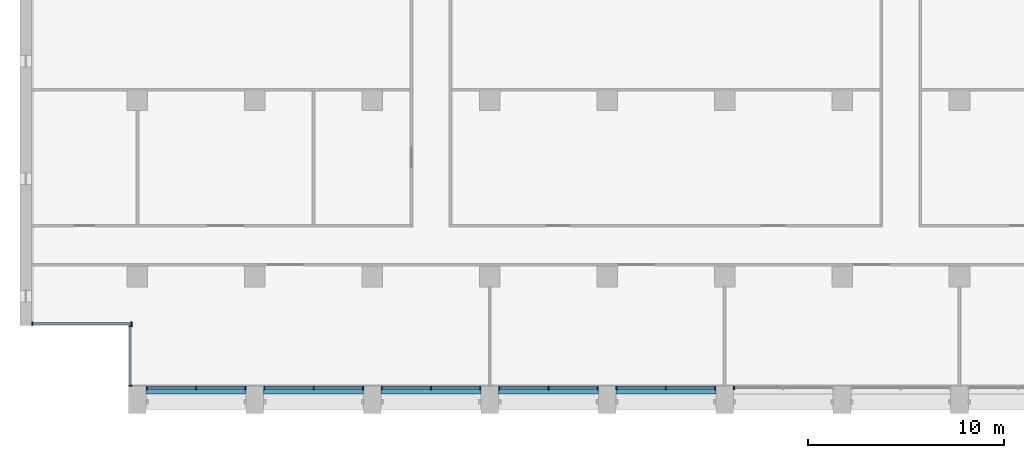
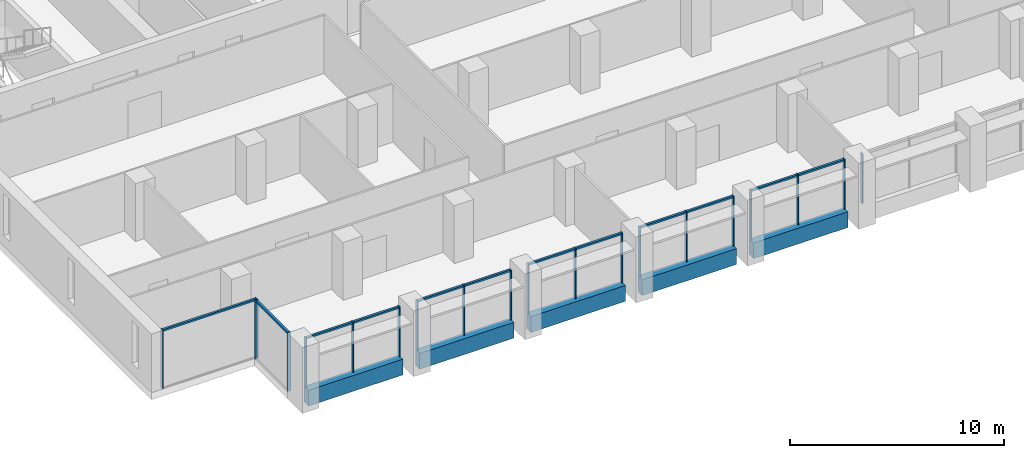
# One storey, part 2 of 17: 32 members, 5 beams, 8 elements without a shape of their own.
"""IFC4 building model written with IfcOpenShell, lengths in metres."""

from ifc_helpers import new_model, si_unit, direction, frame, origin, origin_2d, place, context, subcontext, project, spatial, rectangle, extrude, material, material_profile, profile_set, type_object, element, aggregate, save


model = new_model("IFC4")

# Units and contexts
model_context = context("Model", 3, precision=1e-05, world=origin(), true_north=direction((0.0, 1.0)))
body_context = subcontext(model_context, "Body", "Model", "MODEL_VIEW")
ifc_project = project(units=[si_unit("LENGTHUNIT", "METRE"), si_unit("AREAUNIT", "SQUARE_METRE"), si_unit("VOLUMEUNIT", "CUBIC_METRE"), si_unit("PLANEANGLEUNIT", "RADIAN"), si_unit("MASSUNIT", "GRAM", prefix="KILO")], contexts=[model_context])

# Site, building, storey
site_placement = place(None, origin())
site = spatial("IfcSite", under=ifc_project, at=site_placement, CompositionType="ELEMENT")
building_placement = place(site_placement, origin())
building = spatial("IfcBuilding", under=site, at=building_placement, Name="Calvaro Tower", CompositionType="ELEMENT")
storey_placement = place(building_placement, frame((0.0, 0.0, 208.0)))
storey = spatial("IfcBuildingStorey", under=building, at=storey_placement, Name="L52", CompositionType="ELEMENT", Elevation=208.0)

# Curtain wall, members
ifc_material_1 = material(Name="Anodised aluminium", Category="aluminium")
curtain_wall_type = type_object("IfcCurtainWallType", Name="Office curtain wall, upper zone", PredefinedType="NOTDEFINED", material=ifc_material_1)
curtain_wall_1_placement = place(storey_placement, origin())
curtain_wall_1 = element("IfcCurtainWall", 1, at=curtain_wall_1_placement, inside=storey, type_object=curtain_wall_type, Name="CW3 south curtain wall", PredefinedType="NOTDEFINED")
ifc_material_2 = material(Name="Anodised aluminium", Category="aluminium")
ifc_material_profile_1 = material_profile(ifc_material_2, rectangle(XDim=0.179931640625, YDim=0.06005859375, at=origin_2d()), Name="Mullion S3 60 x 180")
ifc_profile_set_1 = profile_set([ifc_material_profile_1], Name="Anodised aluminium")
member_type_1 = type_object("IfcMemberType", Name="Mullion S3 60 x 180", PredefinedType="MULLION", material=ifc_profile_set_1)
member_1_placement = place(storey_placement, frame((12.47998046875, 4.31005859375, 0.0), z_axis=(0.0, 0.0, 1.0), x_axis=(0.0, 1.0, 0.0)))
member_1 = element("IfcMember", 2, at=member_1_placement, type_object=member_type_1, Name="CW3 mullion 1", PredefinedType="MULLION", context=body_context, shape_type="SweptSolid", body=[
    extrude(rectangle(XDim=0.179931640625, YDim=0.06005859375, at=origin_2d()), origin(), (0.0, 0.0, 1.0), 2.85009765625),
])
member_2_placement = place(storey_placement, frame((15.0, 4.31005859375, 0.0), z_axis=(0.0, 0.0, 1.0), x_axis=(0.0, 1.0, 0.0)))
member_2 = element("IfcMember", 3, at=member_2_placement, type_object=member_type_1, Name="CW3 mullion 2", PredefinedType="MULLION", context=body_context, shape_type="SweptSolid", body=[
    extrude(rectangle(XDim=0.179931640625, YDim=0.06005859375, at=origin_2d()), origin(), (0.0, 0.0, 1.0), 2.85009765625),
])
member_3_placement = place(storey_placement, frame((17.52001953125, 4.31005859375, 0.0), z_axis=(0.0, 0.0, 1.0), x_axis=(0.0, 1.0, 0.0)))
member_3 = element("IfcMember", 4, at=member_3_placement, type_object=member_type_1, Name="CW3 mullion 3", PredefinedType="MULLION", context=body_context, shape_type="SweptSolid", body=[
    extrude(rectangle(XDim=0.179931640625, YDim=0.06005859375, at=origin_2d()), origin(), (0.0, 0.0, 1.0), 2.85009765625),
])

curtain_wall_2_placement = place(storey_placement, origin())
curtain_wall_2 = element("IfcCurtainWall", 5, at=curtain_wall_2_placement, inside=storey, type_object=curtain_wall_type, Name="CW3 south curtain wall", PredefinedType="NOTDEFINED")
member_4_placement = place(storey_placement, frame((18.47998046875, 4.31005859375, 0.0), z_axis=(0.0, 0.0, 1.0), x_axis=(0.0, 1.0, 0.0)))
member_4 = element("IfcMember", 6, at=member_4_placement, type_object=member_type_1, Name="CW3 mullion 1", PredefinedType="MULLION", context=body_context, shape_type="SweptSolid", body=[
    extrude(rectangle(XDim=0.179931640625, YDim=0.06005859375, at=origin_2d()), origin(), (0.0, 0.0, 1.0), 2.85009765625),
])
member_5_placement = place(storey_placement, frame((21.0, 4.31005859375, 0.0), z_axis=(0.0, 0.0, 1.0), x_axis=(0.0, 1.0, 0.0)))
member_5 = element("IfcMember", 7, at=member_5_placement, type_object=member_type_1, Name="CW3 mullion 2", PredefinedType="MULLION", context=body_context, shape_type="SweptSolid", body=[
    extrude(rectangle(XDim=0.179931640625, YDim=0.06005859375, at=origin_2d()), origin(), (0.0, 0.0, 1.0), 2.85009765625),
])
member_6_placement = place(storey_placement, frame((23.52001953125, 4.31005859375, 0.0), z_axis=(0.0, 0.0, 1.0), x_axis=(0.0, 1.0, 0.0)))
member_6 = element("IfcMember", 8, at=member_6_placement, type_object=member_type_1, Name="CW3 mullion 3", PredefinedType="MULLION", context=body_context, shape_type="SweptSolid", body=[
    extrude(rectangle(XDim=0.179931640625, YDim=0.06005859375, at=origin_2d()), origin(), (0.0, 0.0, 1.0), 2.85009765625),
])

curtain_wall_3_placement = place(storey_placement, origin())
curtain_wall_3 = element("IfcCurtainWall", 9, at=curtain_wall_3_placement, inside=storey, type_object=curtain_wall_type, Name="CW3 south curtain wall", PredefinedType="NOTDEFINED")
member_7_placement = place(storey_placement, frame((24.47998046875, 4.31005859375, 0.0), z_axis=(0.0, 0.0, 1.0), x_axis=(0.0, 1.0, 0.0)))
member_7 = element("IfcMember", 10, at=member_7_placement, type_object=member_type_1, Name="CW3 mullion 1", PredefinedType="MULLION", context=body_context, shape_type="SweptSolid", body=[
    extrude(rectangle(XDim=0.179931640625, YDim=0.06005859375, at=origin_2d()), origin(), (0.0, 0.0, 1.0), 2.85009765625),
])
member_8_placement = place(storey_placement, frame((27.0, 4.31005859375, 0.0), z_axis=(0.0, 0.0, 1.0), x_axis=(0.0, 1.0, 0.0)))
member_8 = element("IfcMember", 11, at=member_8_placement, type_object=member_type_1, Name="CW3 mullion 2", PredefinedType="MULLION", context=body_context, shape_type="SweptSolid", body=[
    extrude(rectangle(XDim=0.179931640625, YDim=0.06005859375, at=origin_2d()), origin(), (0.0, 0.0, 1.0), 2.85009765625),
])
member_9_placement = place(storey_placement, frame((29.52001953125, 4.31005859375, 0.0), z_axis=(0.0, 0.0, 1.0), x_axis=(0.0, 1.0, 0.0)))
member_9 = element("IfcMember", 12, at=member_9_placement, type_object=member_type_1, Name="CW3 mullion 3", PredefinedType="MULLION", context=body_context, shape_type="SweptSolid", body=[
    extrude(rectangle(XDim=0.179931640625, YDim=0.06005859375, at=origin_2d()), origin(), (0.0, 0.0, 1.0), 2.85009765625),
])

curtain_wall_4_placement = place(storey_placement, origin())
curtain_wall_4 = element("IfcCurtainWall", 13, at=curtain_wall_4_placement, inside=storey, type_object=curtain_wall_type, Name="CW3 south curtain wall", PredefinedType="NOTDEFINED")
member_10_placement = place(storey_placement, frame((30.47998046875, 4.31005859375, 0.0), z_axis=(0.0, 0.0, 1.0), x_axis=(0.0, 1.0, 0.0)))
member_10 = element("IfcMember", 14, at=member_10_placement, type_object=member_type_1, Name="CW3 mullion 1", PredefinedType="MULLION", context=body_context, shape_type="SweptSolid", body=[
    extrude(rectangle(XDim=0.179931640625, YDim=0.06005859375, at=origin_2d()), origin(), (0.0, 0.0, 1.0), 2.85009765625),
])
member_11_placement = place(storey_placement, frame((33.0, 4.31005859375, 0.0), z_axis=(0.0, 0.0, 1.0), x_axis=(0.0, 1.0, 0.0)))
member_11 = element("IfcMember", 15, at=member_11_placement, type_object=member_type_1, Name="CW3 mullion 2", PredefinedType="MULLION", context=body_context, shape_type="SweptSolid", body=[
    extrude(rectangle(XDim=0.179931640625, YDim=0.06005859375, at=origin_2d()), origin(), (0.0, 0.0, 1.0), 2.85009765625),
])
member_12_placement = place(storey_placement, frame((35.52001953125, 4.31005859375, 0.0), z_axis=(0.0, 0.0, 1.0), x_axis=(0.0, 1.0, 0.0)))
member_12 = element("IfcMember", 16, at=member_12_placement, type_object=member_type_1, Name="CW3 mullion 3", PredefinedType="MULLION", context=body_context, shape_type="SweptSolid", body=[
    extrude(rectangle(XDim=0.179931640625, YDim=0.06005859375, at=origin_2d()), origin(), (0.0, 0.0, 1.0), 2.85009765625),
])

curtain_wall_5_placement = place(storey_placement, origin())
curtain_wall_5 = element("IfcCurtainWall", 17, at=curtain_wall_5_placement, inside=storey, type_object=curtain_wall_type, Name="CW3 south curtain wall", PredefinedType="NOTDEFINED")
member_13_placement = place(storey_placement, frame((36.47998046875, 4.31005859375, 0.0), z_axis=(0.0, 0.0, 1.0), x_axis=(0.0, 1.0, 0.0)))
member_13 = element("IfcMember", 18, at=member_13_placement, type_object=member_type_1, Name="CW3 mullion 1", PredefinedType="MULLION", context=body_context, shape_type="SweptSolid", body=[
    extrude(rectangle(XDim=0.179931640625, YDim=0.06005859375, at=origin_2d()), origin(), (0.0, 0.0, 1.0), 2.85009765625),
])
member_14_placement = place(storey_placement, frame((39.0, 4.31005859375, 0.0), z_axis=(0.0, 0.0, 1.0), x_axis=(0.0, 1.0, 0.0)))
member_14 = element("IfcMember", 19, at=member_14_placement, type_object=member_type_1, Name="CW3 mullion 2", PredefinedType="MULLION", context=body_context, shape_type="SweptSolid", body=[
    extrude(rectangle(XDim=0.179931640625, YDim=0.06005859375, at=origin_2d()), origin(), (0.0, 0.0, 1.0), 2.85009765625),
])
member_15_placement = place(storey_placement, frame((41.52001953125, 4.31005859375, 0.0), z_axis=(0.0, 0.0, 1.0), x_axis=(0.0, 1.0, 0.0)))
member_15 = element("IfcMember", 20, at=member_15_placement, type_object=member_type_1, Name="CW3 mullion 3", PredefinedType="MULLION", context=body_context, shape_type="SweptSolid", body=[
    extrude(rectangle(XDim=0.179931640625, YDim=0.06005859375, at=origin_2d()), origin(), (0.0, 0.0, 1.0), 2.85009765625),
])

# Curtain wall, member
curtain_wall_6_placement = place(storey_placement, origin())
curtain_wall_6 = element("IfcCurtainWall", 21, at=curtain_wall_6_placement, inside=storey, type_object=curtain_wall_type, Name="CW3 south curtain wall", PredefinedType="NOTDEFINED")
member_16_placement = place(storey_placement, frame((42.47998046875, 4.31005859375, 0.0), z_axis=(0.0, 0.0, 1.0), x_axis=(0.0, 1.0, 0.0)))
member_16 = element("IfcMember", 22, at=member_16_placement, type_object=member_type_1, Name="CW3 mullion 1", PredefinedType="MULLION", context=body_context, shape_type="SweptSolid", body=[
    extrude(rectangle(XDim=0.179931640625, YDim=0.06005859375, at=origin_2d()), origin(), (0.0, 0.0, 1.0), 2.85009765625),
])
aggregate(curtain_wall_6, [member_16])

# Curtain wall, members
curtain_wall_7_placement = place(storey_placement, origin())
curtain_wall_7 = element("IfcCurtainWall", 23, at=curtain_wall_7_placement, inside=storey, type_object=curtain_wall_type, Name="CW3 corner curtain wall", PredefinedType="NOTDEFINED")
member_17_placement = place(storey_placement, frame((11.639892578125, 4.429931640625, 0.0), z_axis=(0.0, 0.0, 1.0), x_axis=(-1.0, 0.0, 0.0)))
member_17 = element("IfcMember", 24, at=member_17_placement, type_object=member_type_1, Name="CW3 mullion 1", PredefinedType="MULLION", context=body_context, shape_type="SweptSolid", body=[
    extrude(rectangle(XDim=0.179931640625, YDim=0.06005859375, at=origin_2d()), origin(), (0.0, 0.0, 1.0), 3.35009765625),
])
member_18_placement = place(storey_placement, frame((11.639892578125, 7.469970703125, 0.0), z_axis=(0.0, 0.0, 1.0), x_axis=(-1.0, 0.0, 0.0)))
member_18 = element("IfcMember", 25, at=member_18_placement, type_object=member_type_1, Name="CW3 mullion 2", PredefinedType="MULLION", context=body_context, shape_type="SweptSolid", body=[
    extrude(rectangle(XDim=0.179931640625, YDim=0.06005859375, at=origin_2d()), origin(), (0.0, 0.0, 1.0), 3.35009765625),
])

curtain_wall_8_placement = place(storey_placement, origin())
curtain_wall_8 = element("IfcCurtainWall", 26, at=curtain_wall_8_placement, inside=storey, type_object=curtain_wall_type, Name="CW3 corner curtain wall", PredefinedType="NOTDEFINED")
member_19_placement = place(storey_placement, frame((6.6298828125, 7.590087890625, 0.0), z_axis=(0.0, 0.0, 1.0), x_axis=(0.0, 1.0, 0.0)))
member_19 = element("IfcMember", 27, at=member_19_placement, type_object=member_type_1, Name="CW3 mullion 1", PredefinedType="MULLION", context=body_context, shape_type="SweptSolid", body=[
    extrude(rectangle(XDim=0.179931640625, YDim=0.06005859375, at=origin_2d()), origin(), (0.0, 0.0, 1.0), 3.35009765625),
])
member_20_placement = place(storey_placement, frame((11.699951171875, 7.590087890625, 0.0), z_axis=(0.0, 0.0, 1.0), x_axis=(0.0, 1.0, 0.0)))
member_20 = element("IfcMember", 28, at=member_20_placement, type_object=member_type_1, Name="CW3 mullion 2", PredefinedType="MULLION", context=body_context, shape_type="SweptSolid", body=[
    extrude(rectangle(XDim=0.179931640625, YDim=0.06005859375, at=origin_2d()), origin(), (0.0, 0.0, 1.0), 3.35009765625),
])

# Beams
ifc_material_3 = material(Name="Concrete C50/60 precast", Category="concrete")
ifc_material_profile_2 = material_profile(ifc_material_3, rectangle(XDim=0.39990234375, YDim=0.89990234375, at=origin_2d()), Name="RC 400x900")
ifc_profile_set_2 = profile_set([ifc_material_profile_2], Name="Concrete C50/60 precast")
beam_type = type_object("IfcBeamType", Name="Spandrel beam 400x900 C50/60", PredefinedType="SPANDREL", material=ifc_profile_set_2)
for number, where, z_axis, x_axis, name in (
    (29, (12.449951171875, 4.199951171875, -0.449951171875), (1.0, 0.0, 0.0), (0.0, 1.0, 0.0), "Spandrel beam"),
    (30, (18.449951171875, 4.199951171875, -0.449951171875), (1.0, 0.0, 0.0), (0.0, 1.0, 0.0), "Spandrel beam"),
    (31, (24.449951171875, 4.199951171875, -0.449951171875), (1.0, 0.0, 0.0), (0.0, 1.0, 0.0), "Spandrel beam"),
    (32, (30.449951171875, 4.199951171875, -0.449951171875), (1.0, 0.0, 0.0), (0.0, 1.0, 0.0), "Spandrel beam"),
    (33, (36.449951171875, 4.199951171875, -0.449951171875), (1.0, 0.0, 0.0), (0.0, 1.0, 0.0), "Spandrel beam"),
):
    element("IfcBeam", number, at=place(storey_placement, frame(where, z_axis=z_axis, x_axis=x_axis)), inside=storey, type_object=beam_type, Name=name, PredefinedType="SPANDREL", context=body_context, shape_type="SweptSolid", body=[
        extrude(rectangle(XDim=0.39990234375, YDim=0.89990234375, at=origin_2d()), origin(), (0.0, 0.0, 1.0), 5.10009765625),
    ])

# Member
ifc_material_4 = material(Name="Anodised aluminium", Category="aluminium")
ifc_material_profile_3 = material_profile(ifc_material_4, rectangle(XDim=0.1201171875, YDim=0.10009765625, at=origin_2d()), Name="Transom S3 100 x 120")
ifc_profile_set_3 = profile_set([ifc_material_profile_3], Name="Anodised aluminium")
member_type_2 = type_object("IfcMemberType", Name="Transom S3 100 x 120", PredefinedType="USERDEFINED", material=ifc_profile_set_3)
member_21_placement = place(storey_placement, frame((12.510009765625, 4.31005859375, 2.800048828125), z_axis=(1.0, 0.0, 0.0), x_axis=(0.0, 1.0, 0.0)))
member_21 = element("IfcMember", 34, at=member_21_placement, type_object=member_type_2, Name="CW3 transom 1.1", ObjectType="TRANSOM", PredefinedType="USERDEFINED", context=body_context, shape_type="SweptSolid", body=[
    extrude(rectangle(XDim=0.1201171875, YDim=0.10009765625, at=origin_2d()), origin(), (0.0, 0.0, 1.0), 2.4599609375),
])

member_22_placement = place(storey_placement, frame((15.030029296875, 4.31005859375, 2.800048828125), z_axis=(1.0, 0.0, 0.0), x_axis=(0.0, 1.0, 0.0)))
member_22 = element("IfcMember", 35, at=member_22_placement, type_object=member_type_2, Name="CW3 transom 2.1", ObjectType="TRANSOM", PredefinedType="USERDEFINED", context=body_context, shape_type="SweptSolid", body=[
    extrude(rectangle(XDim=0.1201171875, YDim=0.10009765625, at=origin_2d()), origin(), (0.0, 0.0, 1.0), 2.4599609375),
])

aggregate(curtain_wall_1, [member_1, member_2, member_3, member_21, member_22])

member_23_placement = place(storey_placement, frame((18.510009765625, 4.31005859375, 2.800048828125), z_axis=(1.0, 0.0, 0.0), x_axis=(0.0, 1.0, 0.0)))
member_23 = element("IfcMember", 36, at=member_23_placement, type_object=member_type_2, Name="CW3 transom 1.1", ObjectType="TRANSOM", PredefinedType="USERDEFINED", context=body_context, shape_type="SweptSolid", body=[
    extrude(rectangle(XDim=0.1201171875, YDim=0.10009765625, at=origin_2d()), origin(), (0.0, 0.0, 1.0), 2.4599609375),
])

member_24_placement = place(storey_placement, frame((21.030029296875, 4.31005859375, 2.800048828125), z_axis=(1.0, 0.0, 0.0), x_axis=(0.0, 1.0, 0.0)))
member_24 = element("IfcMember", 37, at=member_24_placement, type_object=member_type_2, Name="CW3 transom 2.1", ObjectType="TRANSOM", PredefinedType="USERDEFINED", context=body_context, shape_type="SweptSolid", body=[
    extrude(rectangle(XDim=0.1201171875, YDim=0.10009765625, at=origin_2d()), origin(), (0.0, 0.0, 1.0), 2.4599609375),
])

aggregate(curtain_wall_2, [member_4, member_5, member_6, member_23, member_24])

member_25_placement = place(storey_placement, frame((24.510009765625, 4.31005859375, 2.800048828125), z_axis=(1.0, 0.0, 0.0), x_axis=(0.0, 1.0, 0.0)))
member_25 = element("IfcMember", 38, at=member_25_placement, type_object=member_type_2, Name="CW3 transom 1.1", ObjectType="TRANSOM", PredefinedType="USERDEFINED", context=body_context, shape_type="SweptSolid", body=[
    extrude(rectangle(XDim=0.1201171875, YDim=0.10009765625, at=origin_2d()), origin(), (0.0, 0.0, 1.0), 2.4599609375),
])

member_26_placement = place(storey_placement, frame((27.030029296875, 4.31005859375, 2.800048828125), z_axis=(1.0, 0.0, 0.0), x_axis=(0.0, 1.0, 0.0)))
member_26 = element("IfcMember", 39, at=member_26_placement, type_object=member_type_2, Name="CW3 transom 2.1", ObjectType="TRANSOM", PredefinedType="USERDEFINED", context=body_context, shape_type="SweptSolid", body=[
    extrude(rectangle(XDim=0.1201171875, YDim=0.10009765625, at=origin_2d()), origin(), (0.0, 0.0, 1.0), 2.4599609375),
])

aggregate(curtain_wall_3, [member_7, member_8, member_9, member_25, member_26])

member_27_placement = place(storey_placement, frame((30.510009765625, 4.31005859375, 2.800048828125), z_axis=(1.0, 0.0, 0.0), x_axis=(0.0, 1.0, 0.0)))
member_27 = element("IfcMember", 40, at=member_27_placement, type_object=member_type_2, Name="CW3 transom 1.1", ObjectType="TRANSOM", PredefinedType="USERDEFINED", context=body_context, shape_type="SweptSolid", body=[
    extrude(rectangle(XDim=0.1201171875, YDim=0.10009765625, at=origin_2d()), origin(), (0.0, 0.0, 1.0), 2.4599609375),
])

member_28_placement = place(storey_placement, frame((33.030029296875, 4.31005859375, 2.800048828125), z_axis=(1.0, 0.0, 0.0), x_axis=(0.0, 1.0, 0.0)))
member_28 = element("IfcMember", 41, at=member_28_placement, type_object=member_type_2, Name="CW3 transom 2.1", ObjectType="TRANSOM", PredefinedType="USERDEFINED", context=body_context, shape_type="SweptSolid", body=[
    extrude(rectangle(XDim=0.1201171875, YDim=0.10009765625, at=origin_2d()), origin(), (0.0, 0.0, 1.0), 2.4599609375),
])

aggregate(curtain_wall_4, [member_10, member_11, member_12, member_27, member_28])

member_29_placement = place(storey_placement, frame((36.510009765625, 4.31005859375, 2.800048828125), z_axis=(1.0, 0.0, 0.0), x_axis=(0.0, 1.0, 0.0)))
member_29 = element("IfcMember", 42, at=member_29_placement, type_object=member_type_2, Name="CW3 transom 1.1", ObjectType="TRANSOM", PredefinedType="USERDEFINED", context=body_context, shape_type="SweptSolid", body=[
    extrude(rectangle(XDim=0.1201171875, YDim=0.10009765625, at=origin_2d()), origin(), (0.0, 0.0, 1.0), 2.4599609375),
])

member_30_placement = place(storey_placement, frame((39.030029296875, 4.31005859375, 2.800048828125), z_axis=(1.0, 0.0, 0.0), x_axis=(0.0, 1.0, 0.0)))
member_30 = element("IfcMember", 43, at=member_30_placement, type_object=member_type_2, Name="CW3 transom 2.1", ObjectType="TRANSOM", PredefinedType="USERDEFINED", context=body_context, shape_type="SweptSolid", body=[
    extrude(rectangle(XDim=0.1201171875, YDim=0.10009765625, at=origin_2d()), origin(), (0.0, 0.0, 1.0), 2.4599609375),
])

aggregate(curtain_wall_5, [member_13, member_14, member_15, member_29, member_30])

member_31_placement = place(storey_placement, frame((11.639892578125, 4.4599609375, 3.300048828125), z_axis=(0.0, 1.0, 0.0), x_axis=(-1.0, 0.0, 0.0)))
member_31 = element("IfcMember", 44, at=member_31_placement, type_object=member_type_2, Name="CW3 transom 1.1", ObjectType="TRANSOM", PredefinedType="USERDEFINED", context=body_context, shape_type="SweptSolid", body=[
    extrude(rectangle(XDim=0.1201171875, YDim=0.10009765625, at=origin_2d()), origin(), (0.0, 0.0, 1.0), 2.97998046875),
])

aggregate(curtain_wall_7, [member_17, member_18, member_31])

member_32_placement = place(storey_placement, frame((6.659912109375, 7.590087890625, 3.300048828125), z_axis=(1.0, 0.0, 0.0), x_axis=(0.0, 1.0, 0.0)))
member_32 = element("IfcMember", 45, at=member_32_placement, type_object=member_type_2, Name="CW3 transom 1.1", ObjectType="TRANSOM", PredefinedType="USERDEFINED", context=body_context, shape_type="SweptSolid", body=[
    extrude(rectangle(XDim=0.1201171875, YDim=0.10009765625, at=origin_2d()), origin(), (0.0, 0.0, 1.0), 5.010009765625),
])

aggregate(curtain_wall_8, [member_19, member_20, member_32])

save(model, "model.ifc")
